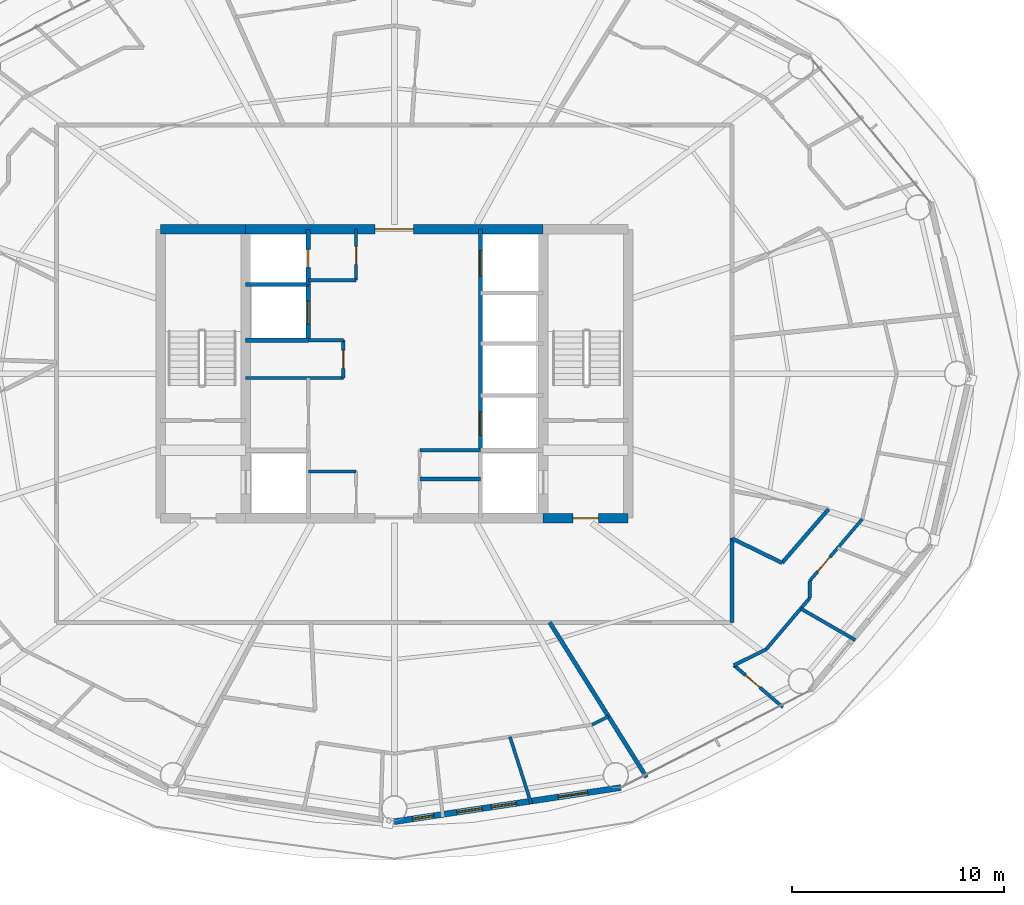
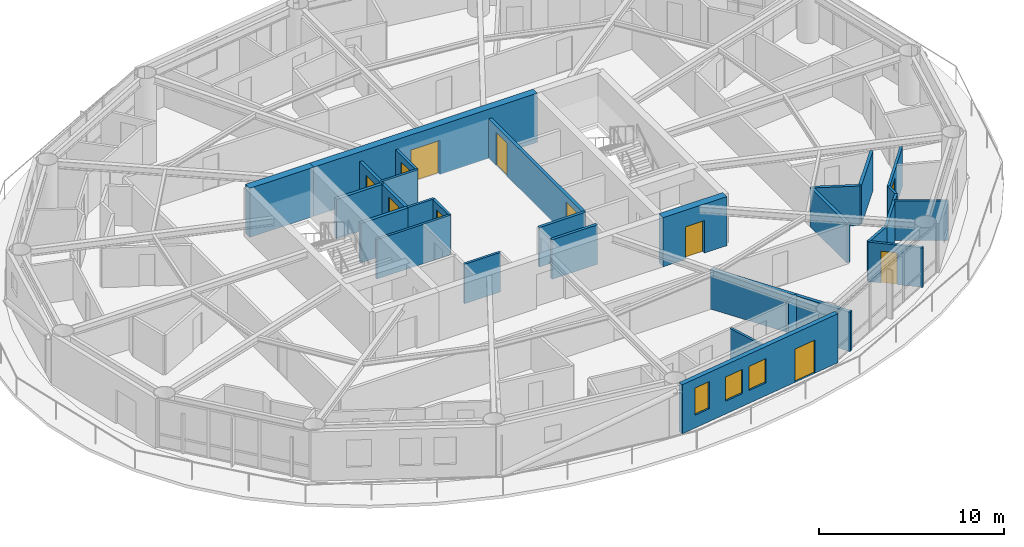
# One storey, part 22 of 28: 29 walls, 11 doors, 3 windows, 14 openings.
"""IFC4 building model written with IfcOpenShell, lengths in metres."""

from ifc_helpers import new_model, si_unit, direction, frame, frame_2d, origin, place, context, subcontext, project, spatial, rectangle, extrude, material, layer, layer_set, type_object, element, fill, save


model = new_model("IFC4")

# Units and contexts
model_context = context("Model", 3, precision=1e-05, world=origin(), true_north=direction((0.0, 1.0)))
body_context = subcontext(model_context, "Body", "Model", "MODEL_VIEW")
ifc_project = project(units=[si_unit("LENGTHUNIT", "METRE"), si_unit("AREAUNIT", "SQUARE_METRE"), si_unit("VOLUMEUNIT", "CUBIC_METRE"), si_unit("PLANEANGLEUNIT", "RADIAN"), si_unit("MASSUNIT", "GRAM", prefix="KILO")], contexts=[model_context])

# Site, building, storey
site_placement = place(None, origin())
site = spatial("IfcSite", under=ifc_project, at=site_placement, CompositionType="ELEMENT")
building_placement = place(site_placement, origin())
building = spatial("IfcBuilding", under=site, at=building_placement, Name="Sarneth Arch Tower", CompositionType="ELEMENT")
storey_placement = place(building_placement, frame((0.0, 0.0, 197.39990234375)))
storey = spatial("IfcBuildingStorey", under=building, at=storey_placement, Name="L50", CompositionType="ELEMENT", Elevation=197.39990234375)

# Wall, opening, door
ifc_material_1 = material(Name="Concrete C50/60", Category="concrete")
ifc_layer_1 = layer(ifc_material_1, 0.449951171875)
ifc_layer_set_1 = layer_set([ifc_layer_1], Name="Concrete C50/60")
wall_type_1 = type_object("IfcWallType", Name="WALL-CORE-450", PredefinedType="SHEAR", material=ifc_layer_set_1)
wall_1_placement = place(storey_placement, frame((55.0, 35.199951171875, 0.0), z_axis=(0.0, 0.0, 1.0), x_axis=(1.0, 0.0, 0.0)))
wall_1 = element("IfcWall", 1, at=wall_1_placement, inside=storey, type_object=wall_type_1, Name="L50 Core shear wall S-E", PredefinedType="SHEAR", context=body_context, shape_type="SweptSolid", body=[
    extrude(rectangle(XDim=4.0, YDim=0.449951171875, at=frame_2d((2.0, 0.0))), origin(), (0.0, 0.0, 1.0), 3.25),
])
opening_1_placement = place(wall_1_placement, frame((1.39990234375, 0.0, 0.0)))
opening_1 = element("IfcOpeningElement", 2, at=opening_1_placement, cuts=wall_1, Name="Opening FD-02", PredefinedType="OPENING", context=body_context, shape_type="SweptSolid", body=[
    extrude(rectangle(XDim=1.199951171875, YDim=2.14990234375, at=frame_2d((0.60009765625, 1.074951171875))), frame((0.0, 0.23486328125, 0.0), z_axis=(0.0, -1.0, 0.0), x_axis=(1.0, 0.0, 0.0)), (0.0, 0.0, 1.0), 0.469970703125),
])
ifc_material_2 = material(Name="Galvanised Steel S275 fire door set", Category="steel")
door_type_1 = type_object("IfcDoorType", Name="DR-FD90-1200", OperationType="SINGLE_SWING_LEFT", PredefinedType="DOOR", material=ifc_material_2)
door_1_placement = place(opening_1_placement, origin())
door_1 = element("IfcDoor", 3, at=door_1_placement, inside=storey, type_object=door_type_1, Name="L50 Firefighting lobby 2 exit door", OperationType="SINGLE_SWING_RIGHT", OverallHeight=2.14990234375, OverallWidth=1.199951171875, PredefinedType="DOOR", context=body_context, shape_type="SweptSolid", body=[
    extrude(rectangle(XDim=1.199951171875, YDim=2.14990234375, at=frame_2d((0.60009765625, 1.074951171875))), frame((0.0, 0.02490234375, 0.0), z_axis=(0.0, -1.0, 0.0), x_axis=(1.0, 0.0, 0.0)), (0.0, 0.0, 1.0), 0.050048828125),
])
fill(opening_1, door_1)

# Wall
wall_2_placement = place(storey_placement, frame((37.0, 48.800048828125, 0.0), z_axis=(0.0, 0.0, 1.0), x_axis=(1.0, 0.0, 0.0)))
element("IfcWall", 4, at=wall_2_placement, inside=storey, type_object=wall_type_1, Name="L50 Core shear wall N-W", PredefinedType="SHEAR", context=body_context, shape_type="SweptSolid", body=[
    extrude(rectangle(XDim=4.0, YDim=0.449951171875, at=frame_2d((2.0, 0.0))), origin(), (0.0, 0.0, 1.0), 3.25),
])

# Wall, opening, door
wall_3_placement = place(storey_placement, frame((41.0, 48.800048828125, 0.0), z_axis=(0.0, 0.0, 1.0), x_axis=(1.0, 0.0, 0.0)))
wall_3 = element("IfcWall", 5, at=wall_3_placement, inside=storey, type_object=wall_type_1, Name="L50 Core shear wall N-M", PredefinedType="SHEAR", context=body_context, shape_type="SweptSolid", body=[
    extrude(rectangle(XDim=14.0, YDim=0.449951171875, at=frame_2d((7.0, 0.0))), origin(), (0.0, 0.0, 1.0), 3.25),
])
opening_2_placement = place(wall_3_placement, frame((6.10009765625, 0.0, 0.0)))
opening_2 = element("IfcOpeningElement", 6, at=opening_2_placement, cuts=wall_3, Name="Opening FD-01", PredefinedType="OPENING", context=body_context, shape_type="SweptSolid", body=[
    extrude(rectangle(XDim=1.800048828125, YDim=2.25, at=frame_2d((0.89990234375, 1.125))), frame((0.0, 0.23486328125, 0.0), z_axis=(0.0, -1.0, 0.0), x_axis=(1.0, 0.0, 0.0)), (0.0, 0.0, 1.0), 0.469970703125),
])
ifc_material_3 = material(Name="Galvanised Steel S275 fire door set", Category="steel")
door_type_2 = type_object("IfcDoorType", Name="DR-FD90-1800", OperationType="DOUBLE_DOOR_SINGLE_SWING", PredefinedType="DOOR", material=ifc_material_3)
door_2_placement = place(opening_2_placement, origin())
door_2 = element("IfcDoor", 7, at=door_2_placement, inside=storey, type_object=door_type_2, Name="L50 Central lift lobby north door", OperationType="DOUBLE_DOOR_SINGLE_SWING", OverallHeight=2.25, OverallWidth=1.800048828125, PredefinedType="DOOR", context=body_context, shape_type="SweptSolid", body=[
    extrude(rectangle(XDim=1.800048828125, YDim=2.25, at=frame_2d((0.89990234375, 1.125))), frame((0.0, 0.02490234375, 0.0), z_axis=(0.0, -1.0, 0.0), x_axis=(1.0, 0.0, 0.0)), (0.0, 0.0, 1.0), 0.050048828125),
])
fill(opening_2, door_2)

# Wall
ifc_material_4 = material(Name="Double steel-stud corridor fire wall", Category="steel")
ifc_layer_2 = layer(ifc_material_4, 0.18994140625)
ifc_layer_set_2 = layer_set([ifc_layer_2], Name="Double steel-stud corridor fire wall")
wall_type_2 = type_object("IfcWallType", Name="WALL-CORR-190", PredefinedType="PARTITIONING", material=ifc_layer_set_2)
wall_4_placement = place(storey_placement, frame((63.89990234375, 34.28076171875, 0.0), z_axis=(0.0, 0.0, 1.0), x_axis=(0.0, -1.0, 0.0)))
element("IfcWall", 8, at=wall_4_placement, inside=storey, type_object=wall_type_2, Name="L50 Interior partition W-L50-TP-016", PredefinedType="PARTITIONING", context=body_context, shape_type="SweptSolid", body=[
    extrude(rectangle(XDim=3.980712890625, YDim=0.18994140625, at=frame_2d((1.990234375, 0.0))), origin(), (0.0, 0.0, 1.0), 2.610107421875),
])

# Wall, openings, door, windows
ifc_material_5 = material(Name="Extruded terracotta rainscreen on Concrete C40/50 backing", Category="masonry")
ifc_layer_3 = layer(ifc_material_5, 0.280029296875)
ifc_layer_set_3 = layer_set([ifc_layer_3], Name="Extruded terracotta rainscreen on Concrete C40/50 backing")
wall_type_3 = type_object("IfcWallType", Name="WALL-EXT-TERRA-280", PredefinedType="SOLIDWALL", material=ifc_layer_set_3)
wall_5_placement = place(storey_placement, frame((48.0, 20.919921875, 0.0), z_axis=(0.0, 0.0, 1.0), x_axis=(0.988863993413, 0.148822049884, 0.0)))
wall_5 = element("IfcWall", 9, at=wall_5_placement, inside=storey, type_object=wall_type_3, Name="L50 Terracotta perimeter wall 13", PredefinedType="SOLIDWALL", context=body_context, shape_type="SweptSolid", body=[
    extrude(rectangle(XDim=10.782958984375, YDim=0.280029296875, at=frame_2d((5.3916015625, 0.0))), origin(), (0.0, 0.0, 1.0), 3.25),
])
opening_3_placement = place(wall_5_placement, frame((2.977783203125, 0.0, 0.85009765625)))
opening_3 = element("IfcOpeningElement", 10, at=opening_3_placement, cuts=wall_5, Name="Opening W-10", PredefinedType="OPENING", context=body_context, shape_type="SweptSolid", body=[
    extrude(rectangle(XDim=1.199951171875, YDim=1.60009765625, at=frame_2d((0.60009765625, 0.800048828125))), frame((0.0, 0.14990234375, 0.0), z_axis=(0.0, -1.0, 0.0), x_axis=(1.0, 0.0, 0.0)), (0.0, 0.0, 1.0), 0.300048828125),
])
opening_4_placement = place(wall_5_placement, frame((4.613037109375, 0.0, 0.85009765625)))
opening_4 = element("IfcOpeningElement", 11, at=opening_4_placement, cuts=wall_5, Name="Opening W-10", PredefinedType="OPENING", context=body_context, shape_type="SweptSolid", body=[
    extrude(rectangle(XDim=1.199951171875, YDim=1.60009765625, at=frame_2d((0.60009765625, 0.800048828125))), frame((0.0, 0.14990234375, 0.0), z_axis=(0.0, -1.0, 0.0), x_axis=(1.0, 0.0, 0.0)), (0.0, 0.0, 1.0), 0.300048828125),
])
opening_5_placement = place(wall_5_placement, frame((7.80126953125, 0.0, 0.0)))
opening_5 = element("IfcOpeningElement", 12, at=opening_5_placement, cuts=wall_5, Name="Opening BD-2", PredefinedType="OPENING", context=body_context, shape_type="SweptSolid", body=[
    extrude(rectangle(XDim=1.39990234375, YDim=2.199951171875, at=frame_2d((0.699951171875, 1.10009765625))), frame((0.0, 0.14990234375, 0.0), z_axis=(0.0, -1.0, 0.0), x_axis=(1.0, 0.0, 0.0)), (0.0, 0.0, 1.0), 0.300048828125),
])
opening_6_placement = place(wall_5_placement, frame((0.873779296875, 0.0, 0.85009765625)))
opening_6 = element("IfcOpeningElement", 13, at=opening_6_placement, cuts=wall_5, Name="Opening W-11", PredefinedType="OPENING", context=body_context, shape_type="SweptSolid", body=[
    extrude(rectangle(XDim=1.0, YDim=1.800048828125, at=frame_2d((0.5, 0.89990234375))), frame((0.0, 0.14990234375, 0.0), z_axis=(0.0, -1.0, 0.0), x_axis=(1.0, 0.0, 0.0)), (0.0, 0.0, 1.0), 0.300048828125),
])
ifc_material_6 = material(Name="Thermally broken Aluminium 6063-T6 and laminated safety glass", Category="aluminium")
door_type_3 = type_object("IfcDoorType", Name="DR-BALC-GLZ-1400", OperationType="SINGLE_SWING_LEFT", PredefinedType="DOOR", material=ifc_material_6)
door_3_placement = place(opening_5_placement, origin())
door_3 = element("IfcDoor", 14, at=door_3_placement, inside=storey, type_object=door_type_3, Name="L50 Balcony glazed door 13", OperationType="SINGLE_SWING_LEFT", OverallHeight=2.199951171875, OverallWidth=1.39990234375, PredefinedType="DOOR", context=body_context, shape_type="SweptSolid", body=[
    extrude(rectangle(XDim=1.39990234375, YDim=2.199951171875, at=frame_2d((0.699951171875, 1.10009765625))), frame((0.0, 0.02490234375, 0.0), z_axis=(0.0, -1.0, 0.0), x_axis=(1.0, 0.0, 0.0)), (0.0, 0.0, 1.0), 0.050048828125),
])
fill(opening_5, door_3)
ifc_material_7 = material(Name="Thermally broken Aluminium 6063-T6 and low-e laminated IGU", Category="aluminium")
window_type_1 = type_object("IfcWindowType", Name="WIN-TWR-1000x1800", PartitioningType="SINGLE_PANEL", PredefinedType="WINDOW", material=ifc_material_7)
window_1_placement = place(opening_6_placement, origin())
window_1 = element("IfcWindow", 15, at=window_1_placement, inside=storey, type_object=window_type_1, Name="L50 Dwelling bedroom window 04", OverallHeight=1.800048828125, OverallWidth=1.0, PartitioningType="SINGLE_PANEL", PredefinedType="WINDOW", context=body_context, shape_type="SweptSolid", body=[
    extrude(rectangle(XDim=1.0, YDim=1.800048828125, at=frame_2d((0.5, 0.89990234375))), frame((0.0, 0.030029296875, 0.0), z_axis=(0.0, -1.0, 0.0), x_axis=(1.0, 0.0, 0.0)), (0.0, 0.0, 1.0), 0.06005859375),
])
fill(opening_6, window_1)
ifc_material_8 = material(Name="Thermally broken Aluminium 6063-T6 and low-e laminated IGU", Category="aluminium")
window_type_2 = type_object("IfcWindowType", Name="WIN-TWR-1200x1600", PartitioningType="SINGLE_PANEL", PredefinedType="WINDOW", material=ifc_material_8)
window_2_placement = place(opening_3_placement, origin())
window_2 = element("IfcWindow", 16, at=window_2_placement, inside=storey, type_object=window_type_2, Name="L50 Exterior window 13A", OverallHeight=1.60009765625, OverallWidth=1.199951171875, PartitioningType="SINGLE_PANEL", PredefinedType="WINDOW", context=body_context, shape_type="SweptSolid", body=[
    extrude(rectangle(XDim=1.199951171875, YDim=1.60009765625, at=frame_2d((0.60009765625, 0.800048828125))), frame((0.0, 0.030029296875, 0.0), z_axis=(0.0, -1.0, 0.0), x_axis=(1.0, 0.0, 0.0)), (0.0, 0.0, 1.0), 0.06005859375),
])
fill(opening_3, window_2)
window_3_placement = place(opening_4_placement, origin())
window_3 = element("IfcWindow", 17, at=window_3_placement, inside=storey, type_object=window_type_2, Name="L50 Exterior window 13B", OverallHeight=1.60009765625, OverallWidth=1.199951171875, PartitioningType="SINGLE_PANEL", PredefinedType="WINDOW", context=body_context, shape_type="SweptSolid", body=[
    extrude(rectangle(XDim=1.199951171875, YDim=1.60009765625, at=frame_2d((0.60009765625, 0.800048828125))), frame((0.0, 0.030029296875, 0.0), z_axis=(0.0, -1.0, 0.0), x_axis=(1.0, 0.0, 0.0)), (0.0, 0.0, 1.0), 0.06005859375),
])
fill(opening_4, window_3)

# Walls
ifc_material_9 = material(Name="Acoustic gypsum stud partition", Category="gypsum")
ifc_layer_4 = layer(ifc_material_9, 0.14990234375)
ifc_layer_set_4 = layer_set([ifc_layer_4], Name="Acoustic gypsum stud partition")
wall_type_4 = type_object("IfcWallType", Name="WALL-PART-150", PredefinedType="PARTITIONING", material=ifc_layer_set_4)
wall_6_placement = place(storey_placement, frame((41.0, 41.800048828125, 0.0), z_axis=(0.0, 0.0, 1.0), x_axis=(1.0, 0.0, 0.0)))
element("IfcWall", 18, at=wall_6_placement, inside=storey, type_object=wall_type_4, Name="L50 Interior partition W-L50-RECPL-S2", PredefinedType="PARTITIONING", context=body_context, shape_type="SweptSolid", body=[
    extrude(rectangle(XDim=4.60009765625, YDim=0.14990234375, at=frame_2d((2.300048828125, 0.0))), origin(), (0.0, 0.0, 1.0), 2.610107421875),
])
wall_7_placement = place(storey_placement, frame((43.949951171875, 43.580078125, 0.0), z_axis=(0.0, 0.0, 1.0), x_axis=(1.0, 0.0, 0.0)))
element("IfcWall", 19, at=wall_7_placement, inside=storey, type_object=wall_type_4, Name="L50 Interior partition W-L50-RECPL-N2", PredefinedType="PARTITIONING", context=body_context, shape_type="SweptSolid", body=[
    extrude(rectangle(XDim=1.650146484375, YDim=0.14990234375, at=frame_2d((0.8251953125, 0.0))), origin(), (0.0, 0.0, 1.0), 2.610107421875),
])

# Wall, opening, door
wall_8_placement = place(storey_placement, frame((45.60009765625, 41.800048828125, 0.0), z_axis=(0.0, 0.0, 1.0), x_axis=(0.0, 1.0, 0.0)))
wall_8 = element("IfcWall", 20, at=wall_8_placement, inside=storey, type_object=wall_type_4, Name="L50 Interior partition W-L50-RECPL-E2", PredefinedType="PARTITIONING", context=body_context, shape_type="SweptSolid", body=[
    extrude(rectangle(XDim=1.780029296875, YDim=0.14990234375, at=frame_2d((0.89013671875, 0.0))), origin(), (0.0, 0.0, 1.0), 2.610107421875),
])
opening_7_placement = place(wall_8_placement, frame((0.449951171875, 0.0, 0.0)))
opening_7 = element("IfcOpeningElement", 21, at=opening_7_placement, cuts=wall_8, Name="Opening FD-11", PredefinedType="OPENING", context=body_context, shape_type="SweptSolid", body=[
    extrude(rectangle(XDim=0.85009765625, YDim=2.14990234375, at=frame_2d((0.425048828125, 1.074951171875))), frame((0.0, 0.0849609375, 0.0), z_axis=(0.0, -1.0, 0.0), x_axis=(1.0, 0.0, 0.0)), (0.0, 0.0, 1.0), 0.169921875),
])
ifc_material_10 = material(Name="Galvanised Steel S275 closet fire door", Category="steel")
door_type_4 = type_object("IfcDoorType", Name="DR-FD60-850", OperationType="SINGLE_SWING_LEFT", PredefinedType="DOOR", material=ifc_material_10)
door_4_placement = place(opening_7_placement, origin())
door_4 = element("IfcDoor", 22, at=door_4_placement, inside=storey, type_object=door_type_4, Name="L50 Interior door DR-L50-RECPL2", OperationType="SINGLE_SWING_RIGHT", OverallHeight=2.14990234375, OverallWidth=0.85009765625, PredefinedType="DOOR", context=body_context, shape_type="SweptSolid", body=[
    extrude(rectangle(XDim=0.85009765625, YDim=2.14990234375, at=frame_2d((0.425048828125, 1.074951171875))), frame((0.0, 0.02490234375, 0.0), z_axis=(0.0, -1.0, 0.0), x_axis=(1.0, 0.0, 0.0)), (0.0, 0.0, 1.0), 0.050048828125),
])
fill(opening_7, door_4)

# Walls
for number, where, z_axis, x_axis, name in (
    (23, (43.949951171875, 37.39990234375, 0.0), (0.0, 0.0, 1.0), (1.0, 0.0, 0.0), "L50 Interior partition W-L50-CSUP1-N"),
    (24, (43.949951171875, 46.39990234375, 0.0), (0.0, 0.0, 1.0), (1.0, 0.0, 0.0), "L50 Interior partition W-L50-CSUP2-S"),
):
    element("IfcWall", number, at=place(storey_placement, frame(where, z_axis=z_axis, x_axis=x_axis)), inside=storey, type_object=wall_type_4, Name=name, PredefinedType="PARTITIONING", context=body_context, shape_type="SweptSolid", body=[
        extrude(rectangle(XDim=2.25, YDim=0.14990234375, at=frame_2d((1.125, 0.0))), origin(), (0.0, 0.0, 1.0), 2.610107421875),
    ])

# Wall, opening, door
wall_9_placement = place(storey_placement, frame((46.199951171875, 46.39990234375, 0.0), z_axis=(0.0, 0.0, 1.0), x_axis=(0.0, 1.0, 0.0)))
wall_9 = element("IfcWall", 25, at=wall_9_placement, inside=storey, type_object=wall_type_4, Name="L50 Interior partition W-L50-CSUP2-E", PredefinedType="PARTITIONING", context=body_context, shape_type="SweptSolid", body=[
    extrude(rectangle(XDim=2.400146484375, YDim=0.14990234375, at=frame_2d((1.2001953125, 0.0))), origin(), (0.0, 0.0, 1.0), 2.610107421875),
])
opening_8_placement = place(wall_9_placement, frame((0.75, 0.0, 0.0)))
opening_8 = element("IfcOpeningElement", 26, at=opening_8_placement, cuts=wall_9, Name="Opening FD-11", PredefinedType="OPENING", context=body_context, shape_type="SweptSolid", body=[
    extrude(rectangle(XDim=0.85009765625, YDim=2.14990234375, at=frame_2d((0.425048828125, 1.074951171875))), frame((0.0, 0.0849609375, 0.0), z_axis=(0.0, -1.0, 0.0), x_axis=(1.0, 0.0, 0.0)), (0.0, 0.0, 1.0), 0.169921875),
])
door_5_placement = place(opening_8_placement, origin())
door_5 = element("IfcDoor", 27, at=door_5_placement, inside=storey, type_object=door_type_4, Name="L50 Interior door DR-L50-CSUP2", OperationType="SINGLE_SWING_RIGHT", OverallHeight=2.14990234375, OverallWidth=0.85009765625, PredefinedType="DOOR", context=body_context, shape_type="SweptSolid", body=[
    extrude(rectangle(XDim=0.85009765625, YDim=2.14990234375, at=frame_2d((0.425048828125, 1.074951171875))), frame((0.0, 0.02490234375, 0.0), z_axis=(0.0, -1.0, 0.0), x_axis=(1.0, 0.0, 0.0)), (0.0, 0.0, 1.0), 0.050048828125),
])
fill(opening_8, door_5)

# Wall
wall_10_placement = place(storey_placement, frame((53.441650390625, 24.916015625, 0.0), z_axis=(0.0, 0.0, 1.0), x_axis=(0.303533258223, -0.952820844205, 0.0)))
element("IfcWall", 28, at=wall_10_placement, inside=storey, type_object=wall_type_4, Name="L50 Interior partition W-L50-TP-106", PredefinedType="PARTITIONING", context=body_context, shape_type="SweptSolid", body=[
    extrude(rectangle(XDim=3.3017578125, YDim=0.14990234375, at=frame_2d((1.65087890625, 0.0))), origin(), (0.0, 0.0, 1.0), 2.610107421875),
])

# Wall, opening, door
wall_11_placement = place(storey_placement, frame((67.550048828125, 32.255615234375, 0.0), z_axis=(0.0, 0.0, 1.0), x_axis=(0.648059335437, 0.761589848773, 0.0)))
wall_11 = element("IfcWall", 29, at=wall_11_placement, inside=storey, type_object=wall_type_4, Name="L50 Interior partition W-L50-TP-110", PredefinedType="PARTITIONING", context=body_context, shape_type="SweptSolid", body=[
    extrude(rectangle(XDim=3.810546875, YDim=0.14990234375, at=frame_2d((1.9052734375, 0.0))), origin(), (0.0, 0.0, 1.0), 2.610107421875),
])
opening_9_placement = place(wall_11_placement, frame((0.56201171875, 0.0, 0.0)))
opening_9 = element("IfcOpeningElement", 30, at=opening_9_placement, cuts=wall_11, Name="Opening ID-01", PredefinedType="OPENING", context=body_context, shape_type="SweptSolid", body=[
    extrude(rectangle(XDim=0.89990234375, YDim=2.10009765625, at=frame_2d((0.449951171875, 1.050048828125))), frame((0.0, 0.0849609375, 0.0), z_axis=(0.0, -1.0, 0.0), x_axis=(1.0, 0.0, 0.0)), (0.0, 0.0, 1.0), 0.169921875),
])
ifc_material_11 = material(Name="Engineered hardwood flush door", Category="wood")
door_type_5 = type_object("IfcDoorType", Name="DR-INT-900", OperationType="SINGLE_SWING_LEFT", PredefinedType="DOOR", material=ifc_material_11)
door_6_placement = place(opening_9_placement, origin())
door_6 = element("IfcDoor", 31, at=door_6_placement, inside=storey, type_object=door_type_5, Name="L50 Interior door DR-L50-U6-STD", OperationType="SINGLE_SWING_RIGHT", OverallHeight=2.10009765625, OverallWidth=0.89990234375, PredefinedType="DOOR", context=body_context, shape_type="SweptSolid", body=[
    extrude(rectangle(XDim=0.89990234375, YDim=2.10009765625, at=frame_2d((0.449951171875, 1.050048828125))), frame((0.0, 0.02490234375, 0.0), z_axis=(0.0, -1.0, 0.0), x_axis=(1.0, 0.0, 0.0)), (0.0, 0.0, 1.0), 0.050048828125),
])
fill(opening_9, door_6)

# Walls
wall_12_placement = place(storey_placement, frame((57.30517578125, 25.48095703125, 0.0), z_axis=(0.0, 0.0, 1.0), x_axis=(0.895046131033, 0.445973567965, 0.0)))
element("IfcWall", 32, at=wall_12_placement, inside=storey, type_object=wall_type_4, Name="L50 Interior partition W-L50-TP-102", PredefinedType="PARTITIONING", context=body_context, shape_type="SweptSolid", body=[
    extrude(rectangle(XDim=0.86669921875, YDim=0.14990234375, at=frame_2d((0.433349609375, 0.0))), origin(), (0.0, 0.0, 1.0), 2.610107421875),
])
wall_13_placement = place(storey_placement, frame((67.550048828125, 31.443359375, 0.0), z_axis=(0.0, 0.0, 1.0), x_axis=(0.0, 1.0, 0.0)))
element("IfcWall", 33, at=wall_13_placement, inside=storey, type_object=wall_type_4, Name="L50 Interior partition W-L50-TP-109", PredefinedType="PARTITIONING", context=body_context, shape_type="SweptSolid", body=[
    extrude(rectangle(XDim=0.812255859375, YDim=0.14990234375, at=frame_2d((0.40625, 0.0))), origin(), (0.0, 0.0, 1.0), 2.610107421875),
])

# Wall, opening, door
ifc_material_12 = material(Name="Kitchen wet service chase wall", Category="gypsum")
ifc_layer_5 = layer(ifc_material_12, 0.159912109375)
ifc_layer_set_5 = layer_set([ifc_layer_5], Name="Kitchen wet service chase wall")
wall_type_5 = type_object("IfcWallType", Name="WALL-PLUMB-160", PredefinedType="PLUMBINGWALL", material=ifc_layer_set_5)
wall_14_placement = place(storey_placement, frame((63.984130859375, 28.28076171875, 0.0), z_axis=(0.0, 0.0, 1.0), x_axis=(0.758829970644, -0.651288780537, 0.0)))
wall_14 = element("IfcWall", 34, at=wall_14_placement, inside=storey, type_object=wall_type_5, Name="L50 Interior partition W-L50-TP-113", PredefinedType="PLUMBINGWALL", context=body_context, shape_type="SweptSolid", body=[
    extrude(rectangle(XDim=3.03076171875, YDim=0.159912109375, at=frame_2d((1.515380859375, 0.0))), origin(), (0.0, 0.0, 1.0), 2.610107421875),
])
opening_10_placement = place(wall_14_placement, frame((0.705322265625, 0.0, 0.0)))
opening_10 = element("IfcOpeningElement", 35, at=opening_10_placement, cuts=wall_14, Name="Opening ID-01", PredefinedType="OPENING", context=body_context, shape_type="SweptSolid", body=[
    extrude(rectangle(XDim=0.89990234375, YDim=2.10009765625, at=frame_2d((0.449951171875, 1.050048828125))), frame((0.0, 0.08984375, 0.0), z_axis=(0.0, -1.0, 0.0), x_axis=(1.0, 0.0, 0.0)), (0.0, 0.0, 1.0), 0.179931640625),
])
door_7_placement = place(opening_10_placement, origin())
door_7 = element("IfcDoor", 36, at=door_7_placement, inside=storey, type_object=door_type_5, Name="L50 Interior door DR-L50-U6-KIT", OperationType="SINGLE_SWING_LEFT", OverallHeight=2.10009765625, OverallWidth=0.89990234375, PredefinedType="DOOR", context=body_context, shape_type="SweptSolid", body=[
    extrude(rectangle(XDim=0.89990234375, YDim=2.10009765625, at=frame_2d((0.449951171875, 1.050048828125))), frame((0.0, 0.02490234375, 0.0), z_axis=(0.0, -1.0, 0.0), x_axis=(1.0, 0.0, 0.0)), (0.0, 0.0, 1.0), 0.050048828125),
])
fill(opening_10, door_7)

# Walls
wall_15_placement = place(storey_placement, frame((69.692626953125, 29.467529296875, 0.0), z_axis=(0.0, 0.0, 1.0), x_axis=(-0.865888886841, 0.500236379769, 0.0)))
element("IfcWall", 37, at=wall_15_placement, inside=storey, type_object=wall_type_5, Name="L50 Interior partition W-L50-TP-121", PredefinedType="PLUMBINGWALL", context=body_context, shape_type="SweptSolid", body=[
    extrude(rectangle(XDim=2.96044921875, YDim=0.159912109375, at=frame_2d((1.480224609375, 0.0))), origin(), (0.0, 0.0, 1.0), 2.610107421875),
])
wall_16_placement = place(storey_placement, frame((67.550048828125, 31.443359375, 0.0), z_axis=(0.0, 0.0, 1.0), x_axis=(-0.647888606369, -0.761735094201, 0.0)))
element("IfcWall", 38, at=wall_16_placement, inside=storey, type_object=wall_type_5, Name="L50 Interior partition W-L50-TP-111", PredefinedType="PLUMBINGWALL", context=body_context, shape_type="SweptSolid", body=[
    extrude(rectangle(XDim=3.15673828125, YDim=0.159912109375, at=frame_2d((1.578369140625, 0.0))), origin(), (0.0, 0.0, 1.0), 2.610107421875),
])
wall_17_placement = place(storey_placement, frame((65.5048828125, 29.038818359375, 0.0), z_axis=(0.0, 0.0, 1.0), x_axis=(-0.894972502213, -0.44612130669, 0.0)))
element("IfcWall", 39, at=wall_17_placement, inside=storey, type_object=wall_type_5, Name="L50 Interior partition W-L50-TP-112", PredefinedType="PLUMBINGWALL", context=body_context, shape_type="SweptSolid", body=[
    extrude(rectangle(XDim=1.69921875, YDim=0.159912109375, at=frame_2d((0.849609375, 0.0))), origin(), (0.0, 0.0, 1.0), 2.610107421875),
])
ifc_material_13 = material(Name="Moisture-resistant plumbing chase wall", Category="gypsum")
ifc_layer_6 = layer(ifc_material_13, 0.179931640625)
ifc_layer_set_6 = layer_set([ifc_layer_6], Name="Moisture-resistant plumbing chase wall")
wall_type_6 = type_object("IfcWallType", Name="WALL-PLUMB-180", PredefinedType="PLUMBINGWALL", material=ifc_layer_set_6)
for number, where, z_axis, x_axis, name in (
    (40, (49.199951171875, 37.050048828125, 0.0), (0.0, 0.0, 1.0), (1.0, 0.0, 0.0), "L50 Interior partition W-L50-AWC-M"),
    (41, (49.199951171875, 38.39990234375, 0.0), (0.0, 0.0, 1.0), (1.0, 0.0, 0.0), "L50 Interior partition W-L50-AWC-N"),
):
    element("IfcWall", number, at=place(storey_placement, frame(where, z_axis=z_axis, x_axis=x_axis)), inside=storey, type_object=wall_type_6, Name=name, PredefinedType="PLUMBINGWALL", context=body_context, shape_type="SweptSolid", body=[
        extrude(rectangle(XDim=2.85009765625, YDim=0.179931640625, at=frame_2d((1.425048828125, 0.0))), origin(), (0.0, 0.0, 1.0), 2.610107421875),
    ])
wall_18_placement = place(storey_placement, frame((66.24755859375, 33.10009765625, 0.0), z_axis=(0.0, 0.0, 1.0), x_axis=(0.654579983518, 0.755992754712, 0.0)))
element("IfcWall", 42, at=wall_18_placement, inside=storey, type_object=wall_type_6, Name="L50 Interior partition W-L50-TP-115", PredefinedType="PLUMBINGWALL", context=body_context, shape_type="SweptSolid", body=[
    extrude(rectangle(XDim=3.341552734375, YDim=0.179931640625, at=frame_2d((1.6708984375, 0.0))), origin(), (0.0, 0.0, 1.0), 2.610107421875),
])
wall_19_placement = place(storey_placement, frame((63.89990234375, 34.2451171875, 0.0), z_axis=(0.0, 0.0, 1.0), x_axis=(0.898795393126, -0.438368385374, 0.0)))
element("IfcWall", 43, at=wall_19_placement, inside=storey, type_object=wall_type_6, Name="L50 Interior partition W-L50-TP-114", PredefinedType="PLUMBINGWALL", context=body_context, shape_type="SweptSolid", body=[
    extrude(rectangle(XDim=2.612060546875, YDim=0.179931640625, at=frame_2d((1.30615234375, 0.0))), origin(), (0.0, 0.0, 1.0), 2.610107421875),
])
ifc_material_14 = material(Name="Aerated concrete blockwork C25/30", Category="masonry")
ifc_layer_7 = layer(ifc_material_14, 0.199951171875)
ifc_layer_set_7 = layer_set([ifc_layer_7], Name="Aerated concrete blockwork C25/30")
wall_type_7 = type_object("IfcWallType", Name="WALL-SHAFT-200", PredefinedType="SOLIDWALL", material=ifc_layer_set_7)
wall_20_placement = place(storey_placement, frame((41.0, 46.199951171875, 0.0), z_axis=(0.0, 0.0, 1.0), x_axis=(1.0, 0.0, 0.0)))
element("IfcWall", 44, at=wall_20_placement, inside=storey, type_object=wall_type_7, Name="L50 Interior partition W-L50-RISER-S", PredefinedType="SOLIDWALL", context=body_context, shape_type="SweptSolid", body=[
    extrude(rectangle(XDim=2.949951171875, YDim=0.199951171875, at=frame_2d((1.47509765625, 0.0))), origin(), (0.0, 0.0, 1.0), 2.610107421875),
])

# Wall, opening, door
wall_21_placement = place(storey_placement, frame((43.949951171875, 46.199951171875, 0.0), z_axis=(0.0, 0.0, 1.0), x_axis=(0.0, 1.0, 0.0)))
wall_21 = element("IfcWall", 45, at=wall_21_placement, inside=storey, type_object=wall_type_7, Name="L50 Interior partition W-L50-RISER-E", PredefinedType="SOLIDWALL", context=body_context, shape_type="SweptSolid", body=[
    extrude(rectangle(XDim=2.60009765625, YDim=0.199951171875, at=frame_2d((1.300048828125, 0.0))), origin(), (0.0, 0.0, 1.0), 2.610107421875),
])
opening_11_placement = place(wall_21_placement, frame((0.800048828125, 0.0, 0.0)))
opening_11 = element("IfcOpeningElement", 46, at=opening_11_placement, cuts=wall_21, Name="Opening FD-11", PredefinedType="OPENING", context=body_context, shape_type="SweptSolid", body=[
    extrude(rectangle(XDim=0.85009765625, YDim=2.14990234375, at=frame_2d((0.425048828125, 1.074951171875))), frame((0.0, 0.10986328125, 0.0), z_axis=(0.0, -1.0, 0.0), x_axis=(1.0, 0.0, 0.0)), (0.0, 0.0, 1.0), 0.219970703125),
])
door_8_placement = place(opening_11_placement, origin())
door_8 = element("IfcDoor", 47, at=door_8_placement, inside=storey, type_object=door_type_4, Name="L50 Lift landing door DR-L50-RISER", OperationType="SINGLE_SWING_LEFT", OverallHeight=2.14990234375, OverallWidth=0.85009765625, PredefinedType="DOOR", context=body_context, shape_type="SweptSolid", body=[
    extrude(rectangle(XDim=0.85009765625, YDim=2.14990234375, at=frame_2d((0.425048828125, 1.074951171875))), frame((0.0, 0.02490234375, 0.0), z_axis=(0.0, -1.0, 0.0), x_axis=(1.0, 0.0, 0.0)), (0.0, 0.0, 1.0), 0.050048828125),
])
fill(opening_11, door_8)

# Wall
wall_22_placement = place(storey_placement, frame((41.0, 43.580078125, 0.0), z_axis=(0.0, 0.0, 1.0), x_axis=(1.0, 0.0, 0.0)))
element("IfcWall", 48, at=wall_22_placement, inside=storey, type_object=wall_type_7, Name="L50 Interior partition W-L50-PM1-S", PredefinedType="SOLIDWALL", context=body_context, shape_type="SweptSolid", body=[
    extrude(rectangle(XDim=2.949951171875, YDim=0.199951171875, at=frame_2d((1.47509765625, 0.0))), origin(), (0.0, 0.0, 1.0), 2.610107421875),
])

# Wall, opening, door
wall_23_placement = place(storey_placement, frame((43.949951171875, 43.580078125, 0.0), z_axis=(0.0, 0.0, 1.0), x_axis=(0.0, 1.0, 0.0)))
wall_23 = element("IfcWall", 49, at=wall_23_placement, inside=storey, type_object=wall_type_7, Name="L50 Interior partition W-L50-PM1-FRONT", PredefinedType="SOLIDWALL", context=body_context, shape_type="SweptSolid", body=[
    extrude(rectangle(XDim=2.619873046875, YDim=0.199951171875, at=frame_2d((1.31005859375, 0.0))), origin(), (0.0, 0.0, 1.0), 2.610107421875),
])
opening_12_placement = place(wall_23_placement, frame((0.75, 0.0, 0.0)))
opening_12 = element("IfcOpeningElement", 50, at=opening_12_placement, cuts=wall_23, Name="Opening LD-1", PredefinedType="OPENING", context=body_context, shape_type="SweptSolid", body=[
    extrude(rectangle(XDim=1.10009765625, YDim=2.199951171875, at=frame_2d((0.550048828125, 1.10009765625))), frame((0.0, 0.10986328125, 0.0), z_axis=(0.0, -1.0, 0.0), x_axis=(1.0, 0.0, 0.0)), (0.0, 0.0, 1.0), 0.219970703125),
])
ifc_material_15 = material(Name="Brushed Stainless Steel 304 lift landing door", Category="steel")
door_type_6 = type_object("IfcDoorType", Name="DR-LIFT-SLIDE-1100", OperationType="SLIDING_TO_LEFT", PredefinedType="DOOR", material=ifc_material_15)
door_9_placement = place(opening_12_placement, origin())
door_9 = element("IfcDoor", 51, at=door_9_placement, inside=storey, type_object=door_type_6, Name="L50 Lift landing door DR-L50-LD-PM1", OperationType="SLIDING_TO_LEFT", OverallHeight=2.199951171875, OverallWidth=1.10009765625, PredefinedType="DOOR", context=body_context, shape_type="SweptSolid", body=[
    extrude(rectangle(XDim=1.10009765625, YDim=2.199951171875, at=frame_2d((0.550048828125, 1.10009765625))), frame((0.0, 0.02490234375, 0.0), z_axis=(0.0, -1.0, 0.0), x_axis=(1.0, 0.0, 0.0)), (0.0, 0.0, 1.0), 0.050048828125),
])
fill(opening_12, door_9)

# Wall, openings, doors
wall_24_placement = place(storey_placement, frame((52.050048828125, 38.39990234375, 0.0), z_axis=(0.0, 0.0, 1.0), x_axis=(0.0, 1.0, 0.0)))
wall_24 = element("IfcWall", 52, at=wall_24_placement, inside=storey, type_object=wall_type_7, Name="L50 Interior partition W-L50-EASTBANK-FRONT", PredefinedType="SOLIDWALL", context=body_context, shape_type="SweptSolid", body=[
    extrude(rectangle(XDim=10.400146484375, YDim=0.199951171875, at=frame_2d((5.2001953125, 0.0))), origin(), (0.0, 0.0, 1.0), 2.610107421875),
])
opening_13_placement = place(wall_24_placement, frame((0.699951171875, 0.0, 0.0)))
opening_13 = element("IfcOpeningElement", 53, at=opening_13_placement, cuts=wall_24, Name="Opening LD-1", PredefinedType="OPENING", context=body_context, shape_type="SweptSolid", body=[
    extrude(rectangle(XDim=1.10009765625, YDim=2.199951171875, at=frame_2d((0.550048828125, 1.10009765625))), frame((0.0, 0.10986328125, 0.0), z_axis=(0.0, -1.0, 0.0), x_axis=(1.0, 0.0, 0.0)), (0.0, 0.0, 1.0), 0.219970703125),
])
opening_14_placement = place(wall_24_placement, frame((8.199951171875, 0.0, 0.0)))
opening_14 = element("IfcOpeningElement", 54, at=opening_14_placement, cuts=wall_24, Name="Opening LD-2", PredefinedType="OPENING", context=body_context, shape_type="SweptSolid", body=[
    extrude(rectangle(XDim=1.199951171875, YDim=2.199951171875, at=frame_2d((0.60009765625, 1.10009765625))), frame((0.0, 0.10986328125, 0.0), z_axis=(0.0, -1.0, 0.0), x_axis=(1.0, 0.0, 0.0)), (0.0, 0.0, 1.0), 0.219970703125),
])
door_10_placement = place(opening_13_placement, origin())
door_10 = element("IfcDoor", 55, at=door_10_placement, inside=storey, type_object=door_type_6, Name="L50 Lift landing door DR-L50-LD-PM2", OperationType="SLIDING_TO_LEFT", OverallHeight=2.199951171875, OverallWidth=1.10009765625, PredefinedType="DOOR", context=body_context, shape_type="SweptSolid", body=[
    extrude(rectangle(XDim=1.10009765625, YDim=2.199951171875, at=frame_2d((0.550048828125, 1.10009765625))), frame((0.0, 0.02490234375, 0.0), z_axis=(0.0, -1.0, 0.0), x_axis=(1.0, 0.0, 0.0)), (0.0, 0.0, 1.0), 0.050048828125),
])
fill(opening_13, door_10)
ifc_material_16 = material(Name="Brushed Stainless Steel 304 service lift door", Category="steel")
door_type_7 = type_object("IfcDoorType", Name="DR-LIFT-SLIDE-1200", OperationType="SLIDING_TO_RIGHT", PredefinedType="DOOR", material=ifc_material_16)
door_11_placement = place(opening_14_placement, origin())
door_11 = element("IfcDoor", 56, at=door_11_placement, inside=storey, type_object=door_type_7, Name="L50 Lift landing door DR-L50-LD-SL1", OperationType="SLIDING_TO_RIGHT", OverallHeight=2.199951171875, OverallWidth=1.199951171875, PredefinedType="DOOR", context=body_context, shape_type="SweptSolid", body=[
    extrude(rectangle(XDim=1.199951171875, YDim=2.199951171875, at=frame_2d((0.60009765625, 1.10009765625))), frame((0.0, 0.02490234375, 0.0), z_axis=(0.0, -1.0, 0.0), x_axis=(1.0, 0.0, 0.0)), (0.0, 0.0, 1.0), 0.050048828125),
])
fill(opening_14, door_11)

# Wall
ifc_material_17 = material(Name="Double steel-stud acoustic drywall", Category="steel")
ifc_layer_8 = layer(ifc_material_17, 0.199951171875)
ifc_layer_set_8 = layer_set([ifc_layer_8], Name="Double steel-stud acoustic drywall")
wall_type_8 = type_object("IfcWallType", Name="WALL-UNIT-200", PredefinedType="PARTITIONING", material=ifc_layer_set_8)
wall_25_placement = place(storey_placement, frame((59.86767578125, 23.0078125, 0.0), z_axis=(0.0, 0.0, 1.0), x_axis=(-0.529914717401, 0.848050937315, 0.0)))
element("IfcWall", 57, at=wall_25_placement, inside=storey, type_object=wall_type_8, Name="L50 Interior partition W-L50-TP-103", PredefinedType="PARTITIONING", context=body_context, shape_type="SweptSolid", body=[
    extrude(rectangle(XDim=8.598876953125, YDim=0.199951171875, at=frame_2d((4.29931640625, 0.0))), origin(), (0.0, 0.0, 1.0), 2.610107421875),
])

save(model, "model.ifc")
